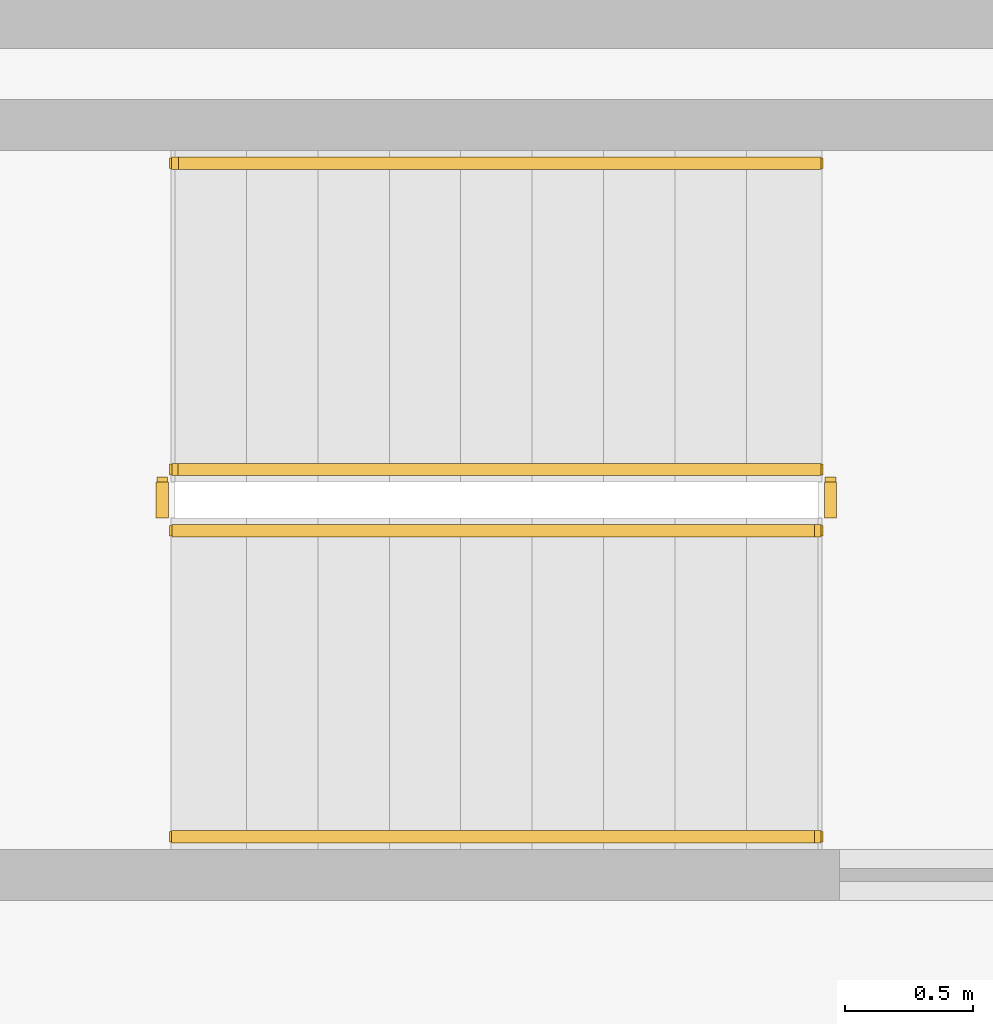
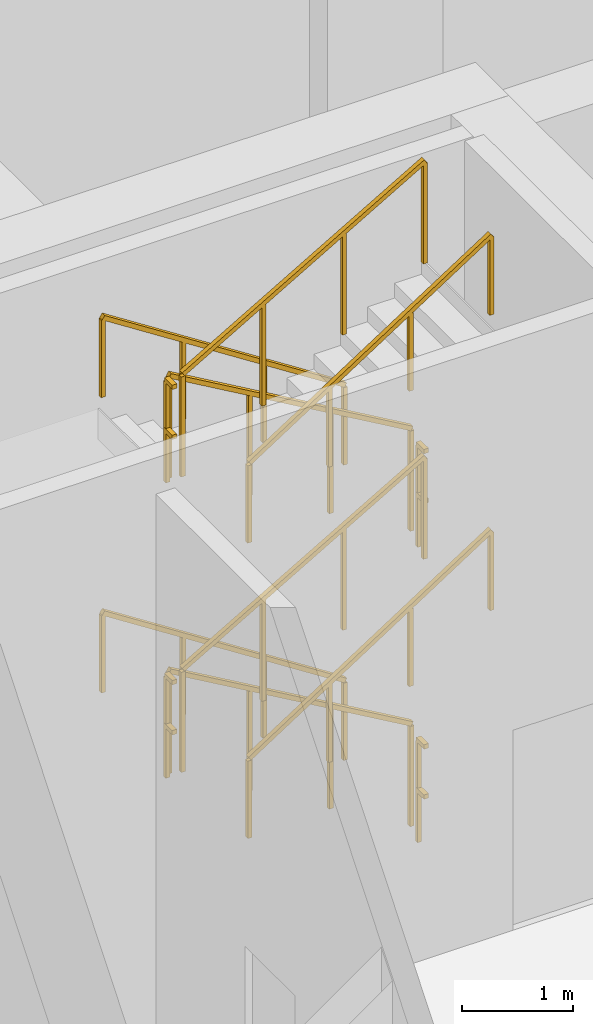
# One storey, part 12 of 13: 12 railings.
"""IFC4 building model written with IfcOpenShell, lengths in metres."""

from ifc_helpers import new_model, si_unit, derived_unit, direction, frame, origin, origin_2d, place, context, subcontext, project, spatial, rectangle, extrude, material, type_object, element, save


model = new_model("IFC4")

# Units and contexts
model_context = context("Model", 3, precision=1e-05, world=origin(), true_north=direction((0.0, 1.0)))
body_context = subcontext(model_context, "Body", "Model", "MODEL_VIEW")
ifc_project = project(units=[si_unit("LENGTHUNIT", "METRE"), si_unit("AREAUNIT", "SQUARE_METRE"), si_unit("VOLUMEUNIT", "CUBIC_METRE"), si_unit("PLANEANGLEUNIT", "RADIAN"), si_unit("MASSUNIT", "GRAM", prefix="KILO"), si_unit("THERMODYNAMICTEMPERATUREUNIT", "KELVIN"), si_unit("POWERUNIT", "WATT"), derived_unit("THERMALTRANSMITTANCEUNIT", [(si_unit("POWERUNIT", "WATT"), 1), (si_unit("AREAUNIT", "SQUARE_METRE"), -1), (si_unit("THERMODYNAMICTEMPERATUREUNIT", "KELVIN"), -1)])], contexts=[model_context])

# Site, building, storey
site_placement = place(None, origin())
site = spatial("IfcSite", under=ifc_project, at=site_placement, CompositionType="ELEMENT")
building_placement = place(site_placement, origin())
building = spatial("IfcBuilding", under=site, at=building_placement, Name="Zahravan Archway Hotel and Residences", CompositionType="ELEMENT")
storey_placement = place(building_placement, frame((0.0, 0.0, -6.5)))
storey = spatial("IfcBuildingStorey", under=building, at=storey_placement, Name="B01", CompositionType="ELEMENT", Elevation=-6.5)

# Railings
ifc_material_1 = material(Name="Painted Tubular Steel", Category="steel")
railing_type_1 = type_object("IfcRailingType", Name="RL-STG-1150", PredefinedType="GUARDRAIL", material=ifc_material_1)
railing_1_placement = place(storey_placement, frame((9.72998046875, 37.64990234375, 0.16259765625)))
element("IfcRailing", 1, at=railing_1_placement, inside=storey, type_object=railing_type_1, Name="B01 ST-B2 stair guard 1", PredefinedType="GUARDRAIL", context=body_context, shape_type="SweptSolid", body=[
    extrude(rectangle(XDim=0.048095703125, YDim=0.048095703125, at=origin_2d()), frame((0.0, 0.0, 1.1259765625), z_axis=(-0.864913338283, 0.0, 0.50192122615), x_axis=(0.0, -1.0, 0.0)), (0.0, 0.0, 1.0), 2.91357421875),
    extrude(rectangle(XDim=0.0419921875, YDim=0.0419921875, at=origin_2d()), origin(), (0.0, 0.0, 1.0), 1.101806640625),
    extrude(rectangle(XDim=0.0419921875, YDim=0.0419921875, at=origin_2d()), frame((-0.840087890625, 0.0, 0.487548828125)), (0.0, 0.0, 1.0), 1.101806640625),
    extrude(rectangle(XDim=0.0419921875, YDim=0.0419921875, at=origin_2d()), frame((-1.679931640625, 0.0, 0.974853515625)), (0.0, 0.0, 1.0), 1.101806640625),
    extrude(rectangle(XDim=0.0419921875, YDim=0.0419921875, at=origin_2d()), frame((-2.52001953125, 0.0, 1.46240234375)), (0.0, 0.0, 1.0), 1.101806640625),
])
railing_2_placement = place(storey_placement, frame((7.159912109375, 37.60009765625, 1.625)))
element("IfcRailing", 2, at=railing_2_placement, inside=storey, type_object=railing_type_1, Name="B01 ST-B2 stair guard 2", PredefinedType="GUARDRAIL", context=body_context, shape_type="SweptSolid", body=[
    extrude(rectangle(XDim=0.048095703125, YDim=0.048095703125, at=origin_2d()), frame((0.0, 0.0, 1.1259765625), z_axis=(0.0, -1.0, 0.0), x_axis=(1.0, 0.0, 0.0)), (0.0, 0.0, 1.0), 0.14013671875),
    extrude(rectangle(XDim=0.048095703125, YDim=0.048095703125, at=origin_2d()), frame((0.0, 0.0, 0.574951171875), z_axis=(0.0, -1.0, 0.0), x_axis=(1.0, 0.0, 0.0)), (0.0, 0.0, 1.0), 0.14013671875),
    extrude(rectangle(XDim=0.0419921875, YDim=0.0419921875, at=origin_2d()), origin(), (0.0, 0.0, 1.0), 1.101806640625),
])
railing_3_placement = place(storey_placement, frame((7.2099609375, 37.409912109375, 1.78759765625)))
element("IfcRailing", 3, at=railing_3_placement, inside=storey, type_object=railing_type_1, Name="B01 ST-B2 stair guard 3", PredefinedType="GUARDRAIL", context=body_context, shape_type="SweptSolid", body=[
    extrude(rectangle(XDim=0.048095703125, YDim=0.048095703125, at=origin_2d()), frame((0.0, 0.0, 1.1259765625), z_axis=(0.864913338283, 0.0, 0.50192122615), x_axis=(0.0, 1.0, 0.0)), (0.0, 0.0, 1.0), 2.91357421875),
    extrude(rectangle(XDim=0.0419921875, YDim=0.0419921875, at=origin_2d()), origin(), (0.0, 0.0, 1.0), 1.101806640625),
    extrude(rectangle(XDim=0.0419921875, YDim=0.0419921875, at=origin_2d()), frame((0.840087890625, 0.0, 0.487548828125)), (0.0, 0.0, 1.0), 1.101806640625),
    extrude(rectangle(XDim=0.0419921875, YDim=0.0419921875, at=origin_2d()), frame((1.679931640625, 0.0, 0.974853515625)), (0.0, 0.0, 1.0), 1.101806640625),
    extrude(rectangle(XDim=0.0419921875, YDim=0.0419921875, at=origin_2d()), frame((2.52001953125, 0.0, 1.46240234375)), (0.0, 0.0, 1.0), 1.101806640625),
])
railing_4_placement = place(storey_placement, frame((9.780029296875, 37.60009765625, 3.25)))
element("IfcRailing", 4, at=railing_4_placement, inside=storey, type_object=railing_type_1, Name="B01 ST-B2 stair guard 4", PredefinedType="GUARDRAIL", context=body_context, shape_type="SweptSolid", body=[
    extrude(rectangle(XDim=0.048095703125, YDim=0.048095703125, at=origin_2d()), frame((0.0, 0.0, 1.1259765625), z_axis=(0.0, -1.0, 0.0), x_axis=(1.0, 0.0, 0.0)), (0.0, 0.0, 1.0), 0.14013671875),
    extrude(rectangle(XDim=0.048095703125, YDim=0.048095703125, at=origin_2d()), frame((0.0, 0.0, 0.574951171875), z_axis=(0.0, -1.0, 0.0), x_axis=(1.0, 0.0, 0.0)), (0.0, 0.0, 1.0), 0.14013671875),
    extrude(rectangle(XDim=0.0419921875, YDim=0.0419921875, at=origin_2d()), origin(), (0.0, 0.0, 1.0), 1.101806640625),
])
railing_5_placement = place(storey_placement, frame((9.72998046875, 37.64990234375, 3.41259765625)))
element("IfcRailing", 5, at=railing_5_placement, inside=storey, type_object=railing_type_1, Name="B01 ST-B2 stair guard 5", PredefinedType="GUARDRAIL", context=body_context, shape_type="SweptSolid", body=[
    extrude(rectangle(XDim=0.048095703125, YDim=0.048095703125, at=origin_2d()), frame((0.0, 0.0, 1.1259765625), z_axis=(-0.864913338283, 0.0, 0.50192122615), x_axis=(0.0, -1.0, 0.0)), (0.0, 0.0, 1.0), 2.91357421875),
    extrude(rectangle(XDim=0.0419921875, YDim=0.0419921875, at=origin_2d()), origin(), (0.0, 0.0, 1.0), 1.101806640625),
    extrude(rectangle(XDim=0.0419921875, YDim=0.0419921875, at=origin_2d()), frame((-0.840087890625, 0.0, 0.487548828125)), (0.0, 0.0, 1.0), 1.101806640625),
    extrude(rectangle(XDim=0.0419921875, YDim=0.0419921875, at=origin_2d()), frame((-1.679931640625, 0.0, 0.974853515625)), (0.0, 0.0, 1.0), 1.101806640625),
    extrude(rectangle(XDim=0.0419921875, YDim=0.0419921875, at=origin_2d()), frame((-2.52001953125, 0.0, 1.46240234375)), (0.0, 0.0, 1.0), 1.101806640625),
])
railing_6_placement = place(storey_placement, frame((7.159912109375, 37.60009765625, 4.875)))
element("IfcRailing", 6, at=railing_6_placement, inside=storey, type_object=railing_type_1, Name="B01 ST-B2 stair guard 6", PredefinedType="GUARDRAIL", context=body_context, shape_type="SweptSolid", body=[
    extrude(rectangle(XDim=0.048095703125, YDim=0.048095703125, at=origin_2d()), frame((0.0, 0.0, 1.1259765625), z_axis=(0.0, -1.0, 0.0), x_axis=(1.0, 0.0, 0.0)), (0.0, 0.0, 1.0), 0.14013671875),
    extrude(rectangle(XDim=0.048095703125, YDim=0.048095703125, at=origin_2d()), frame((0.0, 0.0, 0.574951171875), z_axis=(0.0, -1.0, 0.0), x_axis=(1.0, 0.0, 0.0)), (0.0, 0.0, 1.0), 0.14013671875),
    extrude(rectangle(XDim=0.0419921875, YDim=0.0419921875, at=origin_2d()), origin(), (0.0, 0.0, 1.0), 1.101806640625),
])
railing_7_placement = place(storey_placement, frame((7.2099609375, 37.409912109375, 5.03759765625)))
element("IfcRailing", 7, at=railing_7_placement, inside=storey, type_object=railing_type_1, Name="B01 ST-B2 stair guard 7", PredefinedType="GUARDRAIL", context=body_context, shape_type="SweptSolid", body=[
    extrude(rectangle(XDim=0.048095703125, YDim=0.048095703125, at=origin_2d()), frame((0.0, 0.0, 1.1259765625), z_axis=(0.864913338283, 0.0, 0.50192122615), x_axis=(0.0, 1.0, 0.0)), (0.0, 0.0, 1.0), 2.91357421875),
    extrude(rectangle(XDim=0.0419921875, YDim=0.0419921875, at=origin_2d()), origin(), (0.0, 0.0, 1.0), 1.101806640625),
    extrude(rectangle(XDim=0.0419921875, YDim=0.0419921875, at=origin_2d()), frame((0.840087890625, 0.0, 0.487548828125)), (0.0, 0.0, 1.0), 1.101806640625),
    extrude(rectangle(XDim=0.0419921875, YDim=0.0419921875, at=origin_2d()), frame((1.679931640625, 0.0, 0.974853515625)), (0.0, 0.0, 1.0), 1.101806640625),
    extrude(rectangle(XDim=0.0419921875, YDim=0.0419921875, at=origin_2d()), frame((2.52001953125, 0.0, 1.46240234375)), (0.0, 0.0, 1.0), 1.101806640625),
])
railing_8_placement = place(storey_placement, frame((9.780029296875, 37.60009765625, 0.0)))
element("IfcRailing", 8, at=railing_8_placement, inside=storey, type_object=railing_type_1, Name="B01 ST-B2 stair guard 8", PredefinedType="GUARDRAIL", context=body_context, shape_type="SweptSolid", body=[
    extrude(rectangle(XDim=0.048095703125, YDim=0.048095703125, at=origin_2d()), frame((0.0, 0.0, 1.1259765625), z_axis=(0.0, -1.0, 0.0), x_axis=(1.0, 0.0, 0.0)), (0.0, 0.0, 1.0), 0.14013671875),
    extrude(rectangle(XDim=0.048095703125, YDim=0.048095703125, at=origin_2d()), frame((0.0, 0.0, 0.574951171875), z_axis=(0.0, -1.0, 0.0), x_axis=(1.0, 0.0, 0.0)), (0.0, 0.0, 1.0), 0.14013671875),
    extrude(rectangle(XDim=0.0419921875, YDim=0.0419921875, at=origin_2d()), origin(), (0.0, 0.0, 1.0), 1.101806640625),
])
ifc_material_2 = material(Name="Brushed Stainless Steel", Category="steel")
railing_type_2 = type_object("IfcRailingType", Name="RL-STH-900", PredefinedType="HANDRAIL", material=ifc_material_2)
railing_9_placement = place(storey_placement, frame((9.72998046875, 38.85009765625, 0.16259765625)))
element("IfcRailing", 9, at=railing_9_placement, inside=storey, type_object=railing_type_2, Name="B01 ST-B2 stair handrail 1", PredefinedType="HANDRAIL", context=body_context, shape_type="SweptSolid", body=[
    extrude(rectangle(XDim=0.048095703125, YDim=0.048095703125, at=origin_2d()), frame((0.0, 0.0, 0.8759765625), z_axis=(-0.840421059866, 0.0, 0.541933983188), x_axis=(0.0, -1.0, 0.0)), (0.0, 0.0, 1.0), 2.99853515625),
    extrude(rectangle(XDim=0.0419921875, YDim=0.0419921875, at=origin_2d()), origin(), (0.0, 0.0, 1.0), 0.851806640625),
    extrude(rectangle(XDim=0.0419921875, YDim=0.0419921875, at=origin_2d()), frame((-0.840087890625, 0.0, 0.541748046875)), (0.0, 0.0, 1.0), 0.851806640625),
    extrude(rectangle(XDim=0.0419921875, YDim=0.0419921875, at=origin_2d()), frame((-1.679931640625, 0.0, 1.083251953125)), (0.0, 0.0, 1.0), 0.851806640625),
    extrude(rectangle(XDim=0.0419921875, YDim=0.0419921875, at=origin_2d()), frame((-2.52001953125, 0.0, 1.625)), (0.0, 0.0, 1.0), 0.851806640625),
])
railing_10_placement = place(storey_placement, frame((7.2099609375, 36.2099609375, 1.78759765625)))
element("IfcRailing", 10, at=railing_10_placement, inside=storey, type_object=railing_type_2, Name="B01 ST-B2 stair handrail 2", PredefinedType="HANDRAIL", context=body_context, shape_type="SweptSolid", body=[
    extrude(rectangle(XDim=0.048095703125, YDim=0.048095703125, at=origin_2d()), frame((0.0, 0.0, 0.8759765625), z_axis=(0.840421059866, 0.0, 0.541933983188), x_axis=(0.0, 1.0, 0.0)), (0.0, 0.0, 1.0), 2.99853515625),
    extrude(rectangle(XDim=0.0419921875, YDim=0.0419921875, at=origin_2d()), origin(), (0.0, 0.0, 1.0), 0.851806640625),
    extrude(rectangle(XDim=0.0419921875, YDim=0.0419921875, at=origin_2d()), frame((0.840087890625, 0.0, 0.541748046875)), (0.0, 0.0, 1.0), 0.851806640625),
    extrude(rectangle(XDim=0.0419921875, YDim=0.0419921875, at=origin_2d()), frame((1.679931640625, 0.0, 1.083251953125)), (0.0, 0.0, 1.0), 0.851806640625),
    extrude(rectangle(XDim=0.0419921875, YDim=0.0419921875, at=origin_2d()), frame((2.52001953125, 0.0, 1.625)), (0.0, 0.0, 1.0), 0.851806640625),
])
railing_11_placement = place(storey_placement, frame((9.72998046875, 38.85009765625, 3.41259765625)))
element("IfcRailing", 11, at=railing_11_placement, inside=storey, type_object=railing_type_2, Name="B01 ST-B2 stair handrail 3", PredefinedType="HANDRAIL", context=body_context, shape_type="SweptSolid", body=[
    extrude(rectangle(XDim=0.048095703125, YDim=0.048095703125, at=origin_2d()), frame((0.0, 0.0, 0.8759765625), z_axis=(-0.840421059866, 0.0, 0.541933983188), x_axis=(0.0, -1.0, 0.0)), (0.0, 0.0, 1.0), 2.99853515625),
    extrude(rectangle(XDim=0.0419921875, YDim=0.0419921875, at=origin_2d()), origin(), (0.0, 0.0, 1.0), 0.851806640625),
    extrude(rectangle(XDim=0.0419921875, YDim=0.0419921875, at=origin_2d()), frame((-0.840087890625, 0.0, 0.541748046875)), (0.0, 0.0, 1.0), 0.851806640625),
    extrude(rectangle(XDim=0.0419921875, YDim=0.0419921875, at=origin_2d()), frame((-1.679931640625, 0.0, 1.083251953125)), (0.0, 0.0, 1.0), 0.851806640625),
    extrude(rectangle(XDim=0.0419921875, YDim=0.0419921875, at=origin_2d()), frame((-2.52001953125, 0.0, 1.625)), (0.0, 0.0, 1.0), 0.851806640625),
])
railing_12_placement = place(storey_placement, frame((7.2099609375, 36.2099609375, 5.03759765625)))
element("IfcRailing", 12, at=railing_12_placement, inside=storey, type_object=railing_type_2, Name="B01 ST-B2 stair handrail 4", PredefinedType="HANDRAIL", context=body_context, shape_type="SweptSolid", body=[
    extrude(rectangle(XDim=0.048095703125, YDim=0.048095703125, at=origin_2d()), frame((0.0, 0.0, 0.8759765625), z_axis=(0.840421059866, 0.0, 0.541933983188), x_axis=(0.0, 1.0, 0.0)), (0.0, 0.0, 1.0), 2.99853515625),
    extrude(rectangle(XDim=0.0419921875, YDim=0.0419921875, at=origin_2d()), origin(), (0.0, 0.0, 1.0), 0.851806640625),
    extrude(rectangle(XDim=0.0419921875, YDim=0.0419921875, at=origin_2d()), frame((0.840087890625, 0.0, 0.541748046875)), (0.0, 0.0, 1.0), 0.851806640625),
    extrude(rectangle(XDim=0.0419921875, YDim=0.0419921875, at=origin_2d()), frame((1.679931640625, 0.0, 1.083251953125)), (0.0, 0.0, 1.0), 0.851806640625),
    extrude(rectangle(XDim=0.0419921875, YDim=0.0419921875, at=origin_2d()), frame((2.52001953125, 0.0, 1.625)), (0.0, 0.0, 1.0), 0.851806640625),
])

save(model, "model.ifc")
